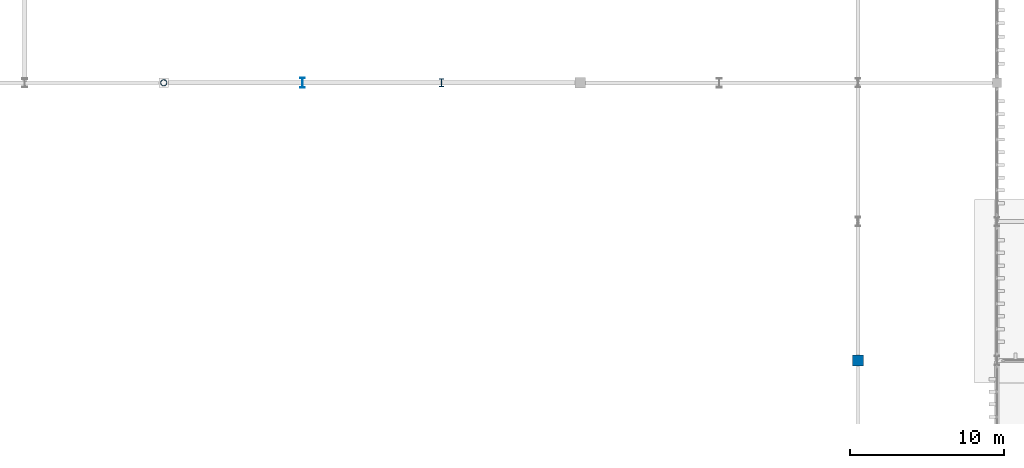
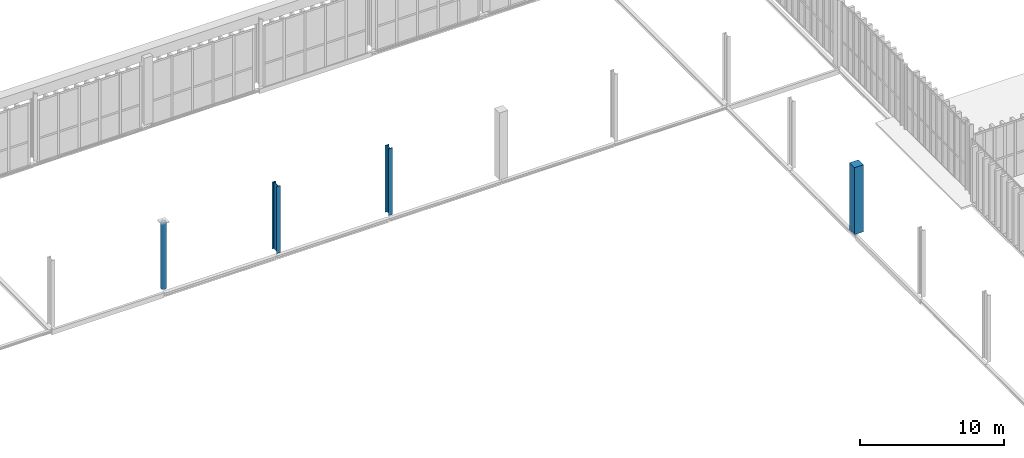
# One storey, part 11 of 237: 4 columns.
"""IFC4 building model written with IfcOpenShell, lengths in metres."""

from ifc_helpers import new_model, si_unit, direction, frame, origin, origin_2d, place, context, subcontext, project, spatial, rectangle, hollow_circle, i_section, extrude, material, material_profile, profile_set, type_object, element, save


model = new_model("IFC4")

# Units and contexts
model_context = context("Model", 3, precision=1e-05, world=origin(), true_north=direction((0.0, 1.0)))
body_context = subcontext(model_context, "Body", "Model", "MODEL_VIEW")
ifc_project = project(units=[si_unit("LENGTHUNIT", "METRE"), si_unit("AREAUNIT", "SQUARE_METRE"), si_unit("VOLUMEUNIT", "CUBIC_METRE"), si_unit("PLANEANGLEUNIT", "RADIAN"), si_unit("MASSUNIT", "GRAM", prefix="KILO")], contexts=[model_context])

# Site, building, storey
site_placement = place(None, origin())
site = spatial("IfcSite", under=ifc_project, at=site_placement, CompositionType="ELEMENT")
building_placement = place(site_placement, origin())
building = spatial("IfcBuilding", under=site, at=building_placement, Name="Barlavento Convention Centre", CompositionType="ELEMENT")
storey_placement = place(building_placement, frame((0.0, 0.0, 12.0)))
storey = spatial("IfcBuildingStorey", under=building, at=storey_placement, Name="L02", CompositionType="ELEMENT", Elevation=12.0)

# Columns
ifc_material_1 = material(Name="Steel S355", Category="steel")
ifc_material_profile_1 = material_profile(ifc_material_1, hollow_circle(Radius=0.203125, WallThickness=0.01611328125, at=origin_2d()), Name="CHS 406.4x16.0")
ifc_profile_set_1 = profile_set([ifc_material_profile_1], Name="Steel S355")
column_type_1 = type_object("IfcColumnType", Name="STR-COL-CHS406", PredefinedType="COLUMN", material=ifc_profile_set_1)
column_1_placement = place(storey_placement, frame((72.0, 117.0, 0.0), z_axis=(0.0, 0.0, 1.0), x_axis=(1.0, 0.0, 0.0)))
element("IfcColumn", 1, at=column_1_placement, inside=storey, type_object=column_type_1, Name="L02 column SC14", PredefinedType="COLUMN", context=body_context, shape_type="SweptSolid", body=[
    extrude(hollow_circle(Radius=0.203125, WallThickness=0.01611328125, at=origin_2d()), origin(), (0.0, 0.0, 1.0), 5.655029296875),
])
ifc_material_profile_2 = material_profile(ifc_material_1, i_section(OverallWidth=0.305908203125, OverallDepth=0.52392578125, WebThickness=0.02099609375, FlangeThickness=0.0400390625, FilletRadius=0.027099609375, at=origin_2d()), Name="HEM 500")
ifc_profile_set_2 = profile_set([ifc_material_profile_2], Name="Steel S355")
column_type_2 = type_object("IfcColumnType", Name="STR-COL-HEM500", PredefinedType="COLUMN", material=ifc_profile_set_2)
column_2_placement = place(storey_placement, frame((90.0, 117.0, 0.0), z_axis=(0.0, 0.0, 1.0), x_axis=(1.0, 0.0, 0.0)))
element("IfcColumn", 2, at=column_2_placement, inside=storey, type_object=column_type_2, Name="L02 column SC07", PredefinedType="COLUMN", context=body_context, shape_type="SweptSolid", body=[
    extrude(i_section(OverallWidth=0.305908203125, OverallDepth=0.52392578125, WebThickness=0.02099609375, FlangeThickness=0.0400390625, FilletRadius=0.027099609375, at=origin_2d()), origin(), (0.0, 0.0, 1.0), 5.655029296875),
])
ifc_material_2 = material(Name="Steel S460", Category="steel")
ifc_material_profile_3 = material_profile(ifc_material_2, i_section(OverallWidth=0.304931640625, OverallDepth=0.66796875, WebThickness=0.02099609375, FlangeThickness=0.0400390625, FilletRadius=0.027099609375, at=origin_2d()), Name="HEM 650")
ifc_profile_set_3 = profile_set([ifc_material_profile_3], Name="Steel S460")
column_type_3 = type_object("IfcColumnType", Name="STR-COL-HEM650", PredefinedType="COLUMN", material=ifc_profile_set_3)
column_3_placement = place(storey_placement, frame((81.0, 117.0, 0.0), z_axis=(0.0, 0.0, 1.0), x_axis=(1.0, 0.0, 0.0)))
element("IfcColumn", 3, at=column_3_placement, inside=storey, type_object=column_type_3, Name="L02 column SC04", PredefinedType="COLUMN", context=body_context, shape_type="SweptSolid", body=[
    extrude(i_section(OverallWidth=0.304931640625, OverallDepth=0.66796875, WebThickness=0.02099609375, FlangeThickness=0.0400390625, FilletRadius=0.027099609375, at=origin_2d()), origin(), (0.0, 0.0, 1.0), 5.655029296875),
])
ifc_material_3 = material(Name="Concrete C40/50", Category="concrete")
ifc_material_profile_4 = material_profile(ifc_material_3, rectangle(XDim=0.699951171875, YDim=0.699951171875, at=origin_2d()), Name="RC 700x700")
ifc_profile_set_4 = profile_set([ifc_material_profile_4], Name="Concrete C40/50")
column_type_4 = type_object("IfcColumnType", Name="STR-COL-RC700", PredefinedType="COLUMN", material=ifc_profile_set_4)
column_4_placement = place(storey_placement, frame((117.0, 99.0, 0.0), z_axis=(0.0, 0.0, 1.0), x_axis=(1.0, 0.0, 0.0)))
element("IfcColumn", 4, at=column_4_placement, inside=storey, type_object=column_type_4, Name="L02 column CC06", PredefinedType="COLUMN", context=body_context, shape_type="SweptSolid", body=[
    extrude(rectangle(XDim=0.699951171875, YDim=0.699951171875, at=origin_2d()), origin(), (0.0, 0.0, 1.0), 5.655029296875),
])

save(model, "model.ifc")
